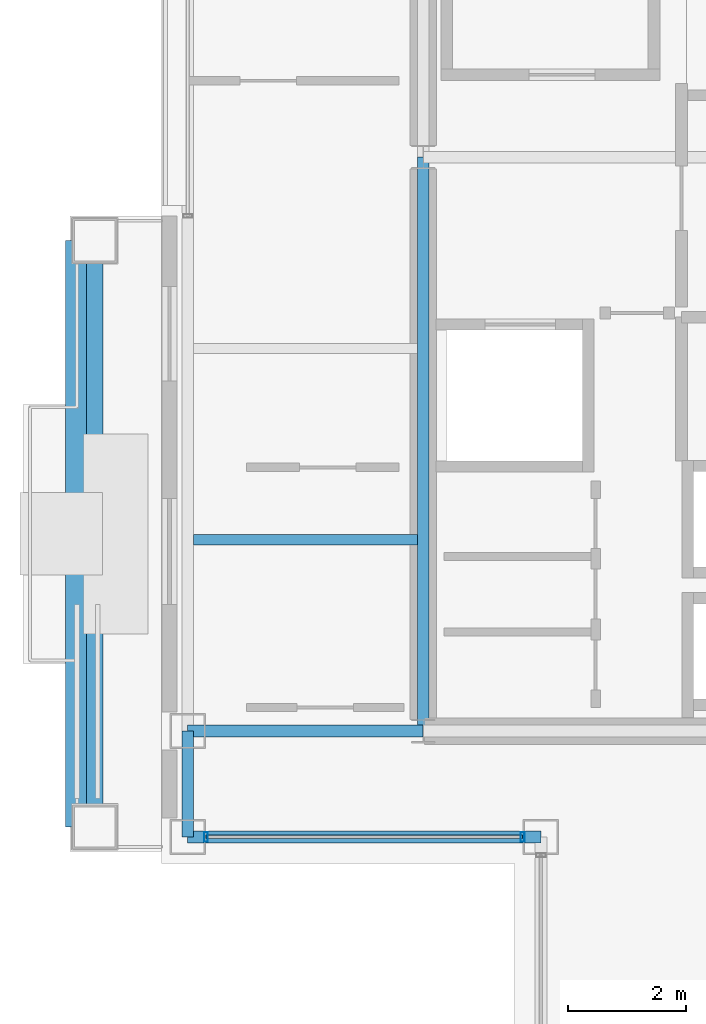
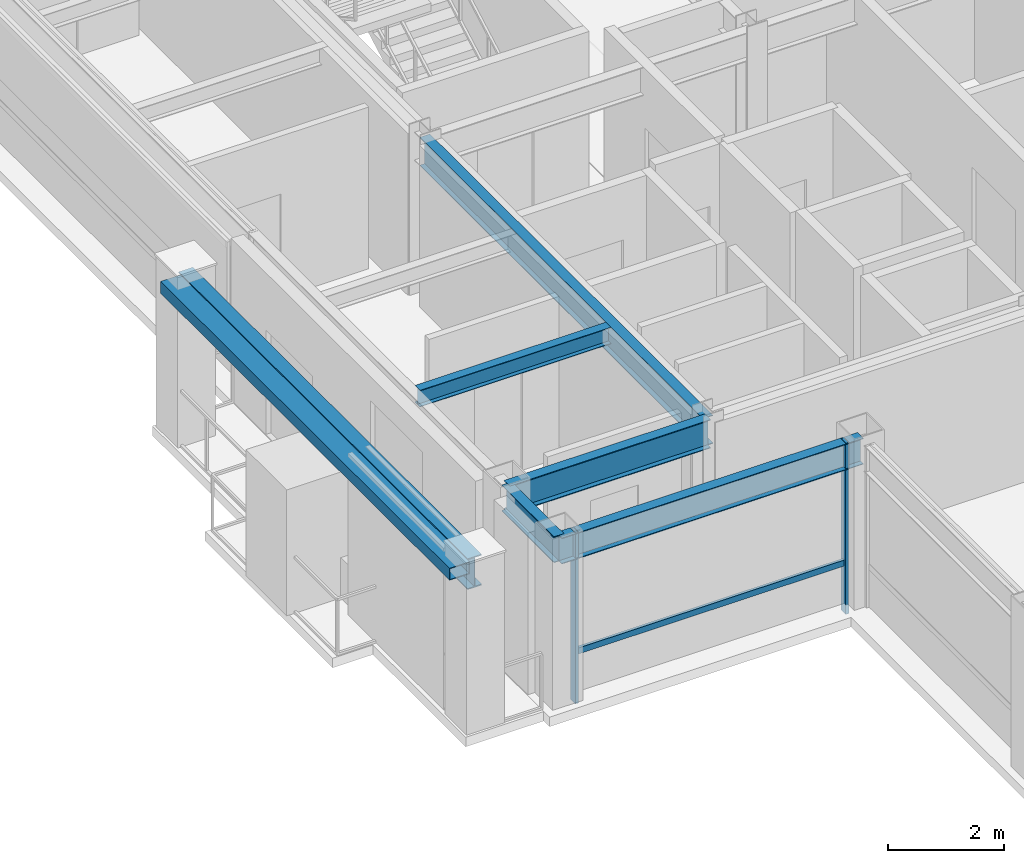
# One storey, part 4 of 28: 6 beams, 4 members, 1 element without a shape of its own.
"""IFC4 building model written with IfcOpenShell, lengths in metres."""

from ifc_helpers import new_model, si_unit, direction, frame, origin, origin_2d, place, context, subcontext, project, spatial, hollow_rectangle, i_section, extrude, material, layer, layer_set, material_profile, profile_set, type_object, element, aggregate, save


model = new_model("IFC4")

# Units and contexts
model_context = context("Model", 3, precision=1e-05, world=origin(), true_north=direction((0.0, 1.0)))
body_context = subcontext(model_context, "Body", "Model", "MODEL_VIEW")
ifc_project = project(units=[si_unit("LENGTHUNIT", "METRE"), si_unit("AREAUNIT", "SQUARE_METRE"), si_unit("VOLUMEUNIT", "CUBIC_METRE"), si_unit("PLANEANGLEUNIT", "RADIAN"), si_unit("MASSUNIT", "GRAM", prefix="KILO")], contexts=[model_context])

# Site, building, storey
site_placement = place(None, origin())
site = spatial("IfcSite", under=ifc_project, at=site_placement, CompositionType="ELEMENT")
building_placement = place(site_placement, origin())
building = spatial("IfcBuilding", under=site, at=building_placement, Name="Brelmoor Portico Tower", CompositionType="ELEMENT")
storey_placement = place(building_placement, frame((0.0, 0.0, 265.199951171875)))
storey = spatial("IfcBuildingStorey", under=building, at=storey_placement, Name="L70", CompositionType="ELEMENT", Elevation=265.199951171875)

# Beams
ifc_material_1 = material(Name="Steel Q355B", Category="steel")
ifc_material_profile_1 = material_profile(ifc_material_1, i_section(OverallWidth=0.175048828125, OverallDepth=0.35009765625, WebThickness=0.007080078125, FlangeThickness=0.010986328125, at=origin_2d()), Name="HN 350x175x7x11")
ifc_profile_set_1 = profile_set([ifc_material_profile_1], Name="Steel Q355B")
beam_type_1 = type_object("IfcBeamType", Name="BM-JS-350", PredefinedType="JOIST", material=ifc_profile_set_1)
beam_1_placement = place(storey_placement, frame((-18.449951171875, -6.5, 3.22509765625), z_axis=(1.0, 0.0, 0.0), x_axis=(0.0, 1.0, 0.0)))
element("IfcBeam", 1, at=beam_1_placement, inside=storey, type_object=beam_type_1, Name="L70 Secondary Wing Joist JS-W07", PredefinedType="JOIST", context=body_context, shape_type="SweptSolid", body=[
    extrude(i_section(OverallWidth=0.175048828125, OverallDepth=0.35009765625, WebThickness=0.007080078125, FlangeThickness=0.010986328125, at=origin_2d()), origin(), (0.0, 0.0, 1.0), 3.800048828125),
])
ifc_material_profile_2 = material_profile(ifc_material_1, i_section(OverallWidth=0.199951171875, OverallDepth=0.60009765625, WebThickness=0.010986328125, FlangeThickness=0.01708984375, at=origin_2d()), Name="HN 600x200x11x17")
ifc_profile_set_2 = profile_set([ifc_material_profile_2], Name="Steel Q355B")
beam_type_2 = type_object("IfcBeamType", Name="BM-PG-600", PredefinedType="BEAM", material=ifc_profile_set_2)
beam_2_placement = place(storey_placement, frame((-14.550048828125, -9.75, 3.10009765625), z_axis=(0.0, 1.0, 0.0), x_axis=(-1.0, 0.0, 0.0)))
element("IfcBeam", 2, at=beam_2_placement, inside=storey, type_object=beam_type_2, Name="L70 Primary Floor Girder PG-01", PredefinedType="BEAM", context=body_context, shape_type="SweptSolid", body=[
    extrude(i_section(OverallWidth=0.199951171875, OverallDepth=0.60009765625, WebThickness=0.010986328125, FlangeThickness=0.01708984375, at=origin_2d()), origin(), (0.0, 0.0, 1.0), 9.75),
])
beam_3_placement = place(storey_placement, frame((-18.550048828125, -9.75, 3.10009765625), z_axis=(1.0, 0.0, 0.0), x_axis=(0.0, 1.0, 0.0)))
element("IfcBeam", 3, at=beam_3_placement, inside=storey, type_object=beam_type_2, Name="L70 Primary Floor Girder PG-11", PredefinedType="BEAM", context=body_context, shape_type="SweptSolid", body=[
    extrude(i_section(OverallWidth=0.199951171875, OverallDepth=0.60009765625, WebThickness=0.010986328125, FlangeThickness=0.01708984375, at=origin_2d()), origin(), (0.0, 0.0, 1.0), 4.0),
])
ifc_material_profile_3 = material_profile(ifc_material_1, i_section(OverallWidth=0.199951171875, OverallDepth=0.550048828125, WebThickness=0.010009765625, FlangeThickness=0.01611328125, at=origin_2d()), Name="HN 550x200x10x16")
ifc_profile_set_3 = profile_set([ifc_material_profile_3], Name="Steel Q355B")
beam_type_3 = type_object("IfcBeamType", Name="BM-SP-550", PredefinedType="SPANDREL", material=ifc_profile_set_3)
beam_4_placement = place(storey_placement, frame((-18.550048828125, -11.550048828125, 3.125), z_axis=(1.0, 0.0, 0.0), x_axis=(0.0, 1.0, 0.0)))
element("IfcBeam", 4, at=beam_4_placement, inside=storey, type_object=beam_type_3, Name="L70 Perimeter Spandrel Beam SP-04", PredefinedType="SPANDREL", context=body_context, shape_type="SweptSolid", body=[
    extrude(i_section(OverallWidth=0.199951171875, OverallDepth=0.550048828125, WebThickness=0.010009765625, FlangeThickness=0.01611328125, at=origin_2d()), origin(), (0.0, 0.0, 1.0), 6.0),
])
beam_5_placement = place(storey_placement, frame((-18.550048828125, -11.550048828125, 3.125), z_axis=(0.0, 1.0, 0.0), x_axis=(-1.0, 0.0, 0.0)))
element("IfcBeam", 5, at=beam_5_placement, inside=storey, type_object=beam_type_3, Name="L70 Perimeter Spandrel Beam SP-11", PredefinedType="SPANDREL", context=body_context, shape_type="SweptSolid", body=[
    extrude(i_section(OverallWidth=0.199951171875, OverallDepth=0.550048828125, WebThickness=0.010009765625, FlangeThickness=0.01611328125, at=origin_2d()), origin(), (0.0, 0.0, 1.0), 1.800048828125),
])
ifc_material_profile_4 = material_profile(ifc_material_1, i_section(OverallWidth=0.280029296875, OverallDepth=0.64990234375, WebThickness=0.012939453125, FlangeThickness=0.02197265625, at=origin_2d()), Name="HN 650x280x13x22")
ifc_profile_set_4 = profile_set([ifc_material_profile_4], Name="Steel Q355B")
beam_type_4 = type_object("IfcBeamType", Name="BM-SP-650", PredefinedType="SPANDREL", material=ifc_profile_set_4)
beam_6_placement = place(storey_placement, frame((-20.1298828125, -11.3798828125, 3.074951171875), z_axis=(0.0, 1.0, 0.0), x_axis=(-1.0, 0.0, 0.0)))
element("IfcBeam", 6, at=beam_6_placement, inside=storey, type_object=beam_type_4, Name="L70 Picture-Frame Perimeter Lintel Beam W1", PredefinedType="SPANDREL", context=body_context, shape_type="SweptSolid", body=[
    extrude(i_section(OverallWidth=0.280029296875, OverallDepth=0.64990234375, WebThickness=0.012939453125, FlangeThickness=0.02197265625, at=origin_2d()), origin(), (0.0, 0.0, 1.0), 9.9599609375),
])

# Curtain wall, members
ifc_material_2 = material(Name="Anodised Aluminium Alloy 6063-T6", Category="aluminium")
ifc_layer = layer(ifc_material_2, 0.179931640625)
ifc_layer_set = layer_set([ifc_layer], Name="Anodised Aluminium Alloy 6063-T6")
curtain_wall_type = type_object("IfcCurtainWallType", Name="CW-NOTCH-CHAMFER", PredefinedType="NOTDEFINED", material=ifc_layer_set)
curtain_wall_placement = place(storey_placement, origin())
curtain_wall = element("IfcCurtainWall", 7, at=curtain_wall_placement, inside=storey, type_object=curtain_wall_type, Name="L70 Curtain Wall CWN-L70-SWH", PredefinedType="NOTDEFINED")
ifc_material_profile_5 = material_profile(ifc_material_2, hollow_rectangle(XDim=0.06494140625, YDim=0.1650390625, WallThickness=0.00390625, at=origin_2d()), Name="ALU MULLION 65x165")
ifc_profile_set_5 = profile_set([ifc_material_profile_5], Name="Anodised Aluminium Alloy 6063-T6")
member_type_1 = type_object("IfcMemberType", Name="MB-CW-MULL-165", PredefinedType="MULLION", material=ifc_profile_set_5)
member_1_placement = place(storey_placement, frame((-18.239990234375, -11.550048828125, -0.199951171875), z_axis=(0.0, 0.0, 1.0), x_axis=(1.0, 0.0, 0.0)))
member_1 = element("IfcMember", 8, at=member_1_placement, type_object=member_type_1, Name="CWN-L70-SWH Mullion 00", PredefinedType="MULLION", context=body_context, shape_type="SweptSolid", body=[
    extrude(hollow_rectangle(XDim=0.06494140625, YDim=0.1650390625, WallThickness=0.00390625, at=origin_2d()), origin(), (0.0, 0.0, 1.0), 3.60009765625),
])
member_2_placement = place(storey_placement, frame((-12.860107421875, -11.550048828125, -0.199951171875), z_axis=(0.0, 0.0, 1.0), x_axis=(1.0, 0.0, 0.0)))
member_2 = element("IfcMember", 9, at=member_2_placement, type_object=member_type_1, Name="CWN-L70-SWH Mullion 01", PredefinedType="MULLION", context=body_context, shape_type="SweptSolid", body=[
    extrude(hollow_rectangle(XDim=0.06494140625, YDim=0.1650390625, WallThickness=0.00390625, at=origin_2d()), origin(), (0.0, 0.0, 1.0), 3.60009765625),
])
ifc_material_profile_6 = material_profile(ifc_material_2, hollow_rectangle(XDim=0.06005859375, YDim=0.125, WallThickness=0.00341796875, at=origin_2d()), Name="ALU TRANSOM 60x125")
ifc_profile_set_6 = profile_set([ifc_material_profile_6], Name="Anodised Aluminium Alloy 6063-T6")
member_type_2 = type_object("IfcMemberType", Name="MB-CW-TRAN-125", PredefinedType="USERDEFINED", material=ifc_profile_set_6)
member_3_placement = place(storey_placement, frame((-18.239990234375, -11.550048828125, 0.85009765625), z_axis=(1.0, 0.0, 0.0), x_axis=(0.0, 1.0, 0.0)))
member_3 = element("IfcMember", 10, at=member_3_placement, type_object=member_type_2, Name="CWN-L70-SWH Transom 1-00", ObjectType="TRANSOM", PredefinedType="USERDEFINED", context=body_context, shape_type="SweptSolid", body=[
    extrude(hollow_rectangle(XDim=0.06005859375, YDim=0.125, WallThickness=0.00341796875, at=origin_2d()), origin(), (0.0, 0.0, 1.0), 5.3798828125),
])
aggregate(curtain_wall, [member_1, member_2, member_3])

# Member
ifc_material_3 = material(Name="Pale Champagne Fluoropolymer-Coated Steel Q355B", Category="steel")
ifc_material_profile_7 = material_profile(ifc_material_3, hollow_rectangle(XDim=0.25, YDim=0.39990234375, WallThickness=0.013916015625, at=origin_2d()), Name="RHS 250x400x14")
ifc_profile_set_7 = profile_set([ifc_material_profile_7], Name="Pale Champagne Fluoropolymer-Coated Steel Q355B")
member_type_3 = type_object("IfcMemberType", Name="MB-PF-HEADER", PredefinedType="MEMBER", material=ifc_profile_set_7)
member_4_placement = place(storey_placement, frame((-20.429931640625, -11.3798828125, 3.199951171875), z_axis=(0.0, 1.0, 0.0), x_axis=(0.0, 0.0, 1.0)))
element("IfcMember", 11, at=member_4_placement, inside=storey, type_object=member_type_3, Name="L70 Picture-Frame Header W", PredefinedType="MEMBER", context=body_context, shape_type="SweptSolid", body=[
    extrude(hollow_rectangle(XDim=0.25, YDim=0.39990234375, WallThickness=0.013916015625, at=origin_2d()), origin(), (0.0, 0.0, 1.0), 9.9599609375),
])

save(model, "model.ifc")
